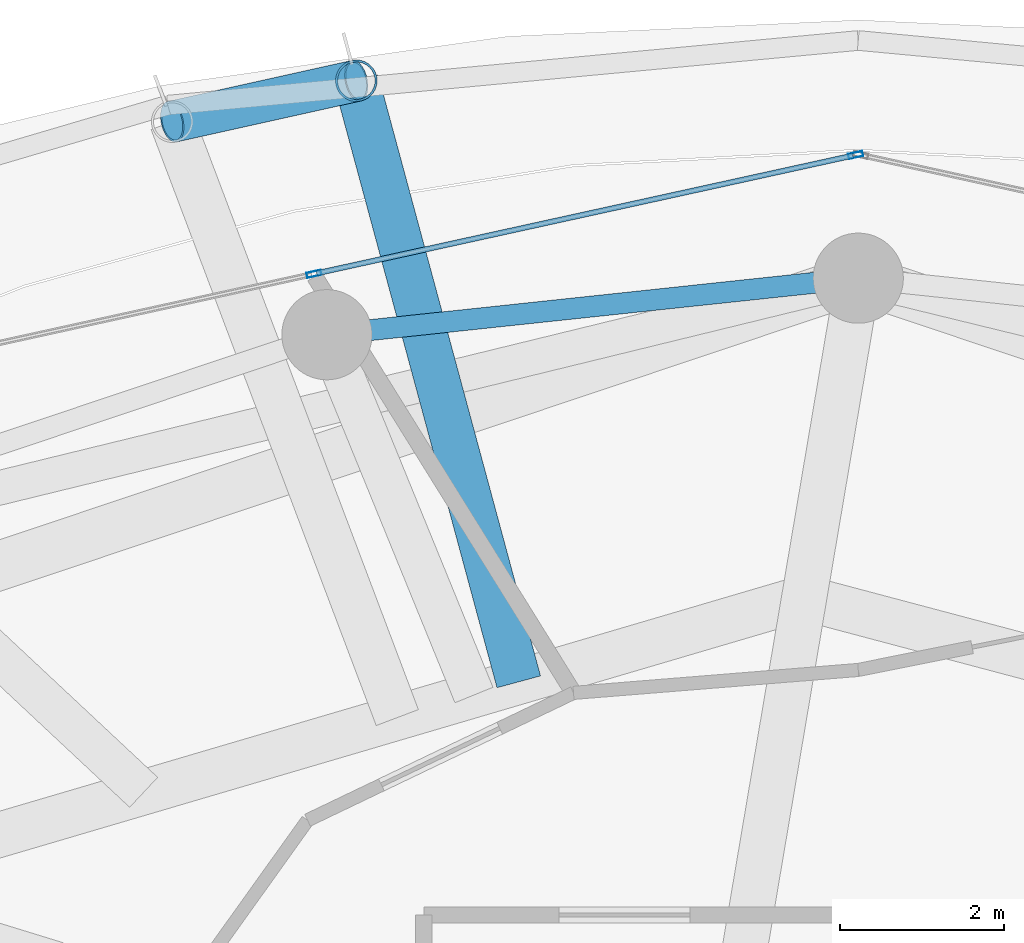
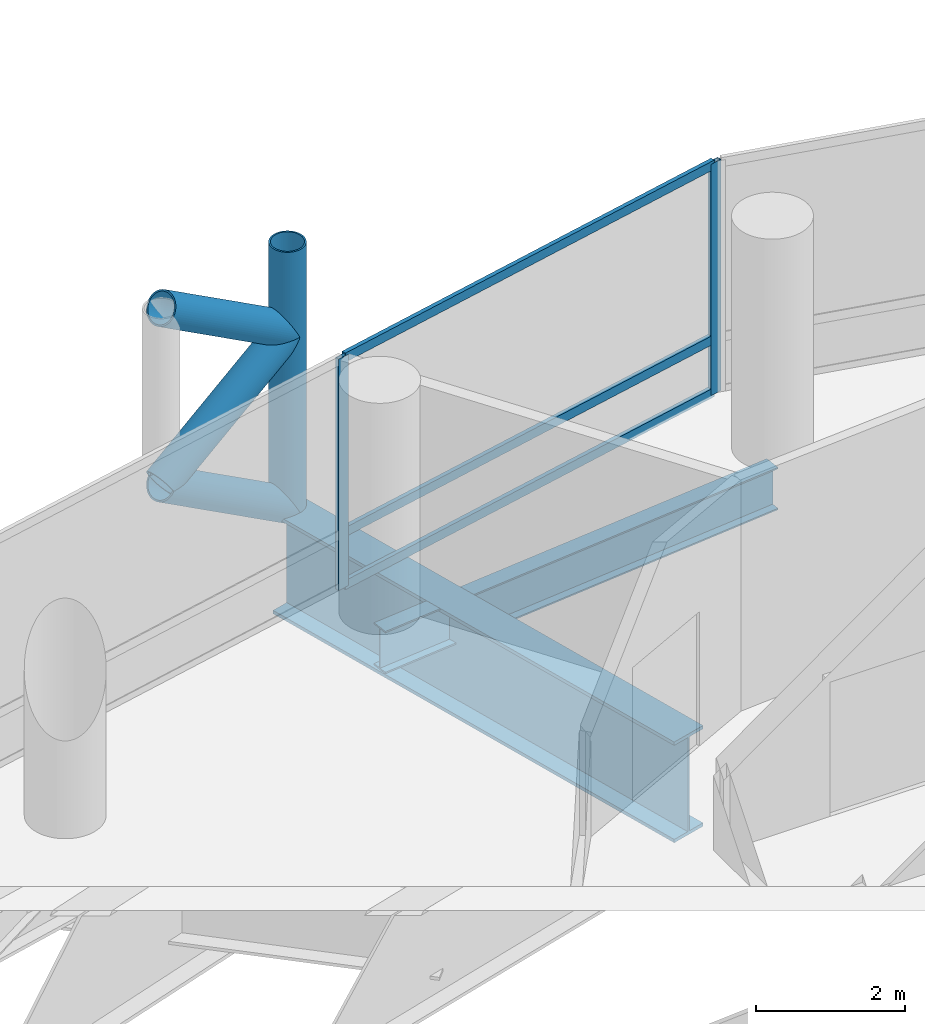
# One storey, part 22 of 37: 9 members, 2 beams, 1 element without a shape of its own.
"""IFC4 building model written with IfcOpenShell, lengths in metres."""

from ifc_helpers import new_model, si_unit, direction, frame, origin, origin_2d, place, context, subcontext, project, spatial, hollow_rectangle, hollow_circle, i_section, extrude, material, layer, layer_set, material_profile, profile_set, type_object, element, aggregate, save


model = new_model("IFC4")

# Units and contexts
model_context = context("Model", 3, precision=1e-05, world=origin(), true_north=direction((0.0, 1.0)))
body_context = subcontext(model_context, "Body", "Model", "MODEL_VIEW")
ifc_project = project(units=[si_unit("LENGTHUNIT", "METRE"), si_unit("AREAUNIT", "SQUARE_METRE"), si_unit("VOLUMEUNIT", "CUBIC_METRE"), si_unit("PLANEANGLEUNIT", "RADIAN"), si_unit("MASSUNIT", "GRAM", prefix="KILO")], contexts=[model_context])

# Site, building, storey
site_placement = place(None, origin())
site = spatial("IfcSite", under=ifc_project, at=site_placement, CompositionType="ELEMENT")
building_placement = place(site_placement, origin())
building = spatial("IfcBuilding", under=site, at=building_placement, Name="Nuhasar Tower", CompositionType="ELEMENT")
storey_placement = place(building_placement, frame((0.0, 0.0, 21.0)))
storey = spatial("IfcBuildingStorey", under=building, at=storey_placement, Name="L04", CompositionType="ELEMENT", Elevation=21.0)

# Beams
ifc_material_1 = material(Name="Steel S355", Category="steel")
ifc_material_profile_1 = material_profile(ifc_material_1, i_section(OverallWidth=0.256103515625, OverallDepth=0.693115234375, WebThickness=0.014404296875, FlangeThickness=0.023681640625, at=origin_2d()), Name="W27X114")
ifc_profile_set_1 = profile_set([ifc_material_profile_1], Name="Steel S355")
beam_type_1 = type_object("IfcBeamType", Name="BM-RING-W27X114", PredefinedType="SPANDREL", material=ifc_profile_set_1)
beam_1_placement = place(storey_placement, frame((39.0, 47.050048828125, -0.60693359375), z_axis=(-0.994384554061, -0.105827022286, 0.0), x_axis=(0.105827022286, -0.994384554061, 0.0)))
element("IfcBeam", 1, at=beam_1_placement, inside=storey, type_object=beam_type_1, Name="L04 Perimeter Ring Spandrel 07", PredefinedType="SPANDREL", context=body_context, shape_type="SweptSolid", body=[
    extrude(i_section(OverallWidth=0.256103515625, OverallDepth=0.693115234375, WebThickness=0.014404296875, FlangeThickness=0.023681640625, at=origin_2d()), origin(), (0.0, 0.0, 1.0), 6.51953125),
])
ifc_material_2 = material(Name="Steel S460", Category="steel")
ifc_material_profile_2 = material_profile(ifc_material_2, i_section(OverallWidth=0.550048828125, OverallDepth=1.64990234375, WebThickness=0.031982421875, FlangeThickness=0.054931640625, at=origin_2d()), Name="PG1650X550")
ifc_profile_set_2 = profile_set([ifc_material_profile_2], Name="Steel S460")
beam_type_2 = type_object("IfcBeamType", Name="BM-XFER-PG1650", PredefinedType="USERDEFINED", material=ifc_profile_set_2)
beam_2_placement = place(storey_placement, frame((34.85791015625, 42.125, -1.0849609375), z_axis=(-0.260881504741, 0.965370830554, 0.0), x_axis=(-0.965370830554, -0.260881504741, 0.0)))
element("IfcBeam", 2, at=beam_2_placement, inside=storey, type_object=beam_type_2, Name="L04 Exoskeleton Base Transfer Girder 07", ObjectType="GIRDER", PredefinedType="USERDEFINED", context=body_context, shape_type="SweptSolid", body=[
    extrude(i_section(OverallWidth=0.550048828125, OverallDepth=1.64990234375, WebThickness=0.031982421875, FlangeThickness=0.054931640625, at=origin_2d()), origin(), (0.0, 0.0, 1.0), 7.59716796875),
])

# Curtain wall, members
ifc_material_3 = material(Name="Aluminium 6063-T6", Category="aluminium")
ifc_layer = layer(ifc_material_3, 0.199951171875)
ifc_layer_set = layer_set([ifc_layer], Name="Aluminium 6063-T6")
curtain_wall_type = type_object("IfcCurtainWallType", Name="CW-Z1-OFF", PredefinedType="NOTDEFINED", material=ifc_layer_set)
curtain_wall_placement = place(storey_placement, origin())
curtain_wall = element("IfcCurtainWall", 3, at=curtain_wall_placement, inside=storey, type_object=curtain_wall_type, Name="L04 Unitised Curtain Wall 04", PredefinedType="NOTDEFINED")
ifc_material_profile_3 = material_profile(ifc_material_3, hollow_rectangle(XDim=0.06494140625, YDim=0.179931640625, WallThickness=0.0048828125, at=origin_2d()), Name="CWM-2")
ifc_profile_set_3 = profile_set([ifc_material_profile_3], Name="Aluminium 6063-T6")
member_type_1 = type_object("IfcMemberType", Name="CW-MUL-S2", PredefinedType="MULLION", material=ifc_profile_set_3)
member_1_placement = place(storey_placement, frame((38.96826171875, 48.552978515625, 0.0), z_axis=(0.0, 0.0, 1.0), x_axis=(0.214398737637, -0.976746221544, 0.0)))
member_1 = element("IfcMember", 4, at=member_1_placement, type_object=member_type_1, Name="CW-Z1 mullion 1", PredefinedType="MULLION", context=body_context, shape_type="SweptSolid", body=[
    extrude(hollow_rectangle(XDim=0.06494140625, YDim=0.179931640625, WallThickness=0.0048828125, at=origin_2d()), origin(), (0.0, 0.0, 1.0), 3.7900390625),
])
member_2_placement = place(storey_placement, frame((32.360107421875, 47.1025390625, 0.0), z_axis=(0.0, 0.0, 1.0), x_axis=(0.214398737637, -0.976746221544, 0.0)))
member_2 = element("IfcMember", 5, at=member_2_placement, type_object=member_type_1, Name="CW-Z1 mullion 2", PredefinedType="MULLION", context=body_context, shape_type="SweptSolid", body=[
    extrude(hollow_rectangle(XDim=0.06494140625, YDim=0.179931640625, WallThickness=0.0048828125, at=origin_2d()), origin(), (0.0, 0.0, 1.0), 3.7900390625),
])
ifc_material_profile_4 = material_profile(ifc_material_3, hollow_rectangle(XDim=0.06494140625, YDim=0.14990234375, WallThickness=0.00439453125, at=origin_2d()), Name="CWT-2")
ifc_profile_set_4 = profile_set([ifc_material_profile_4], Name="Aluminium 6063-T6")
member_type_2 = type_object("IfcMemberType", Name="CW-TRN-S2", PredefinedType="USERDEFINED", material=ifc_profile_set_4)
member_3_placement = place(storey_placement, frame((38.9365234375, 48.546142578125, 0.032470703125), z_axis=(-0.976740248595, -0.214425947065, 0.0), x_axis=(0.214425947065, -0.976740248595, 0.0)))
member_3 = element("IfcMember", 6, at=member_3_placement, type_object=member_type_2, Name="CW-Z1 transom 1.1", ObjectType="TRANSOM", PredefinedType="USERDEFINED", context=body_context, shape_type="SweptSolid", body=[
    extrude(hollow_rectangle(XDim=0.06494140625, YDim=0.14990234375, WallThickness=0.00439453125, at=origin_2d()), origin(), (0.0, 0.0, 1.0), 6.700439453125),
])
member_4_placement = place(storey_placement, frame((38.9365234375, 48.546142578125, 0.89990234375), z_axis=(-0.976740248595, -0.214425947065, 0.0), x_axis=(0.214425947065, -0.976740248595, 0.0)))
member_4 = element("IfcMember", 7, at=member_4_placement, type_object=member_type_2, Name="CW-Z1 transom 1.2", ObjectType="TRANSOM", PredefinedType="USERDEFINED", context=body_context, shape_type="SweptSolid", body=[
    extrude(hollow_rectangle(XDim=0.06494140625, YDim=0.14990234375, WallThickness=0.00439453125, at=origin_2d()), origin(), (0.0, 0.0, 1.0), 6.700439453125),
])
member_5_placement = place(storey_placement, frame((38.9365234375, 48.546142578125, 3.757568359375), z_axis=(-0.976740248595, -0.214425947065, 0.0), x_axis=(0.214425947065, -0.976740248595, 0.0)))
member_5 = element("IfcMember", 8, at=member_5_placement, type_object=member_type_2, Name="CW-Z1 transom 1.3", ObjectType="TRANSOM", PredefinedType="USERDEFINED", context=body_context, shape_type="SweptSolid", body=[
    extrude(hollow_rectangle(XDim=0.06494140625, YDim=0.14990234375, WallThickness=0.00439453125, at=origin_2d()), origin(), (0.0, 0.0, 1.0), 6.700439453125),
])
aggregate(curtain_wall, [member_1, member_2, member_3, member_4, member_5])

# Members
ifc_material_profile_5 = material_profile(ifc_material_2, hollow_circle(Radius=0.25390625, WallThickness=0.025390625, at=origin_2d()), Name="HSS508X25.4")
ifc_profile_set_5 = profile_set([ifc_material_profile_5], Name="Steel S460")
member_type_3 = type_object("IfcMemberType", Name="EXO-BRONZE-508", PredefinedType="BRACE", material=ifc_profile_set_5)
member_6_placement = place(storey_placement, frame((32.8759765625, 49.458984375, -0.260009765625), z_axis=(0.0, 0.0, 1.0), x_axis=(1.0, 0.0, 0.0)))
element("IfcMember", 9, at=member_6_placement, inside=storey, type_object=member_type_3, Name="L04 Exoskeleton Chord Column EC-04A", PredefinedType="BRACE", context=body_context, shape_type="SweptSolid", body=[
    extrude(hollow_circle(Radius=0.25390625, WallThickness=0.025390625, at=origin_2d()), origin(), (0.0, 0.0, 1.0), 4.31005859375),
])
member_7_placement = place(storey_placement, frame((32.8759765625, 49.458984375, -0.260009765625), z_axis=(-0.8279794046, -0.183955424239, 0.529726823421), x_axis=(0.216885517571, -0.97619704582, 0.0)))
element("IfcMember", 10, at=member_7_placement, inside=storey, type_object=member_type_3, Name="L04 Bronze Diagrid Brace W1-04", PredefinedType="BRACE", context=body_context, shape_type="SweptSolid", body=[
    extrude(hollow_circle(Radius=0.25390625, WallThickness=0.025390625, at=origin_2d()), origin(), (0.0, 0.0, 1.0), 2.712646484375),
])
member_8_placement = place(storey_placement, frame((30.6298828125, 48.9599609375, 1.177001953125), z_axis=(0.828137289214, 0.183990502082, 0.529467775561), x_axis=(-0.216885517571, 0.97619704582, 0.0)))
element("IfcMember", 11, at=member_8_placement, inside=storey, type_object=member_type_3, Name="L04 Bronze Diagrid Brace W2-04", PredefinedType="BRACE", context=body_context, shape_type="SweptSolid", body=[
    extrude(hollow_circle(Radius=0.25390625, WallThickness=0.025390625, at=origin_2d()), origin(), (0.0, 0.0, 1.0), 2.712158203125),
])
member_9_placement = place(storey_placement, frame((32.8759765625, 49.458984375, 2.613037109375), z_axis=(-0.8279794046, -0.183955424239, 0.529726823421), x_axis=(0.216885517571, -0.97619704582, 0.0)))
element("IfcMember", 12, at=member_9_placement, inside=storey, type_object=member_type_3, Name="L04 Bronze Diagrid Brace W3-04", PredefinedType="BRACE", context=body_context, shape_type="SweptSolid", body=[
    extrude(hollow_circle(Radius=0.25390625, WallThickness=0.025390625, at=origin_2d()), origin(), (0.0, 0.0, 1.0), 2.712646484375),
])

save(model, "model.ifc")
